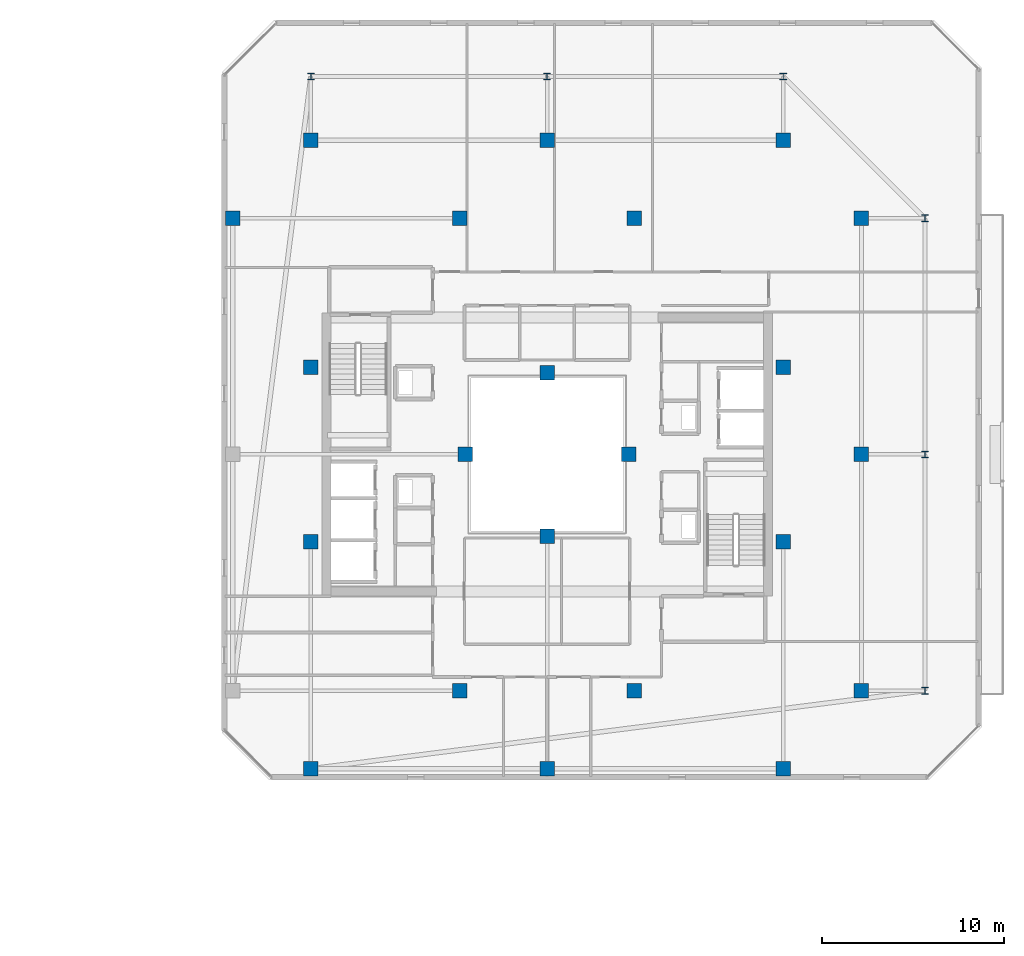
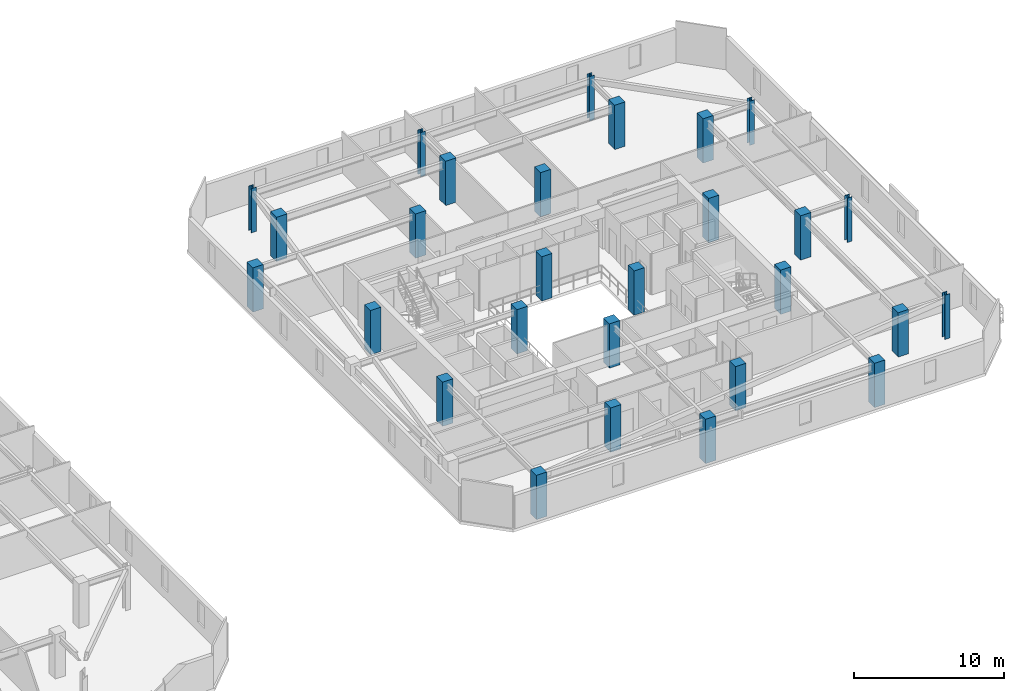
# One storey, part 4 of 35: 28 columns.
"""IFC4 building model written with IfcOpenShell, lengths in metres."""

from ifc_helpers import new_model, si_unit, direction, frame, origin, origin_2d, place, context, subcontext, project, spatial, rectangle, i_section, extrude, material, material_profile, profile_set, type_object, element, save


model = new_model("IFC4")

# Units and contexts
model_context = context("Model", 3, precision=1e-05, world=origin(), true_north=direction((0.0, 1.0)))
body_context = subcontext(model_context, "Body", "Model", "MODEL_VIEW")
ifc_project = project(units=[si_unit("LENGTHUNIT", "METRE"), si_unit("AREAUNIT", "SQUARE_METRE"), si_unit("VOLUMEUNIT", "CUBIC_METRE"), si_unit("PLANEANGLEUNIT", "RADIAN"), si_unit("MASSUNIT", "GRAM", prefix="KILO")], contexts=[model_context])

# Site, building, storey
site_placement = place(None, origin())
site = spatial("IfcSite", under=ifc_project, at=site_placement, CompositionType="ELEMENT")
building_placement = place(site_placement, origin())
building = spatial("IfcBuilding", under=site, at=building_placement, Name="Thornwick Lancets Civic Towers", CompositionType="ELEMENT")
storey_placement = place(building_placement, frame((0.0, 0.0, 272.699951171875)))
storey = spatial("IfcBuildingStorey", under=building, at=storey_placement, Name="L73", CompositionType="ELEMENT", Elevation=272.699951171875)

# Columns
ifc_material_1 = material(Name="Concrete C50/60", Category="concrete")
ifc_material_profile_1 = material_profile(ifc_material_1, rectangle(XDim=0.800048828125, YDim=0.800048828125, at=origin_2d()), Name="RC 800x800")
ifc_profile_set_1 = profile_set([ifc_material_profile_1], Name="Concrete C50/60")
column_type_1 = type_object("IfcColumnType", Name="COL_RC_800", PredefinedType="COLUMN", material=ifc_profile_set_1)
for number, where, z_axis, x_axis, name in (
    (1, (105.800048828125, 14.0, 0.0), (0.0, 0.0, 1.0), (1.0, 0.0, 0.0), "L73 Spine Mega-Column B01"),
    (2, (105.800048828125, 27.0, 0.0), (0.0, 0.0, 1.0), (1.0, 0.0, 0.0), "L73 Spine Mega-Column B02"),
    (3, (105.800048828125, 40.0, 0.0), (0.0, 0.0, 1.0), (1.0, 0.0, 0.0), "L73 Spine Mega-Column B03"),
    (4, (101.5, 44.300048828125, 0.0), (0.0, 0.0, 1.0), (1.0, 0.0, 0.0), "L73 Spine Mega-Column B04"),
    (5, (88.5, 44.300048828125, 0.0), (0.0, 0.0, 1.0), (1.0, 0.0, 0.0), "L73 Spine Mega-Column B05"),
    (6, (75.5, 44.300048828125, 0.0), (0.0, 0.0, 1.0), (1.0, 0.0, 0.0), "L73 Spine Mega-Column B06"),
    (7, (71.199951171875, 40.0, 0.0), (0.0, 0.0, 1.0), (1.0, 0.0, 0.0), "L73 Spine Mega-Column B09"),
    (8, (101.5, 9.699951171875, 0.0), (0.0, 0.0, 1.0), (1.0, 0.0, 0.0), "L73 Spine Mega-Column B10"),
    (9, (88.5, 9.699951171875, 0.0), (0.0, 0.0, 1.0), (1.0, 0.0, 0.0), "L73 Spine Mega-Column B11"),
    (10, (75.5, 9.699951171875, 0.0), (0.0, 0.0, 1.0), (1.0, 0.0, 0.0), "L73 Spine Mega-Column B12"),
    (11, (93.300048828125, 14.0, 0.0), (0.0, 0.0, 1.0), (1.0, 0.0, 0.0), "L73 Spine Mega-Column B13"),
    (12, (93.300048828125, 40.0, 0.0), (0.0, 0.0, 1.0), (1.0, 0.0, 0.0), "L73 Spine Mega-Column B14"),
    (13, (83.699951171875, 14.0, 0.0), (0.0, 0.0, 1.0), (1.0, 0.0, 0.0), "L73 Spine Mega-Column B15"),
    (14, (83.699951171875, 40.0, 0.0), (0.0, 0.0, 1.0), (1.0, 0.0, 0.0), "L73 Spine Mega-Column B16"),
    (15, (101.5, 22.199951171875, 0.0), (0.0, 0.0, 1.0), (1.0, 0.0, 0.0), "L73 Spine Mega-Column B17"),
    (16, (101.5, 31.800048828125, 0.0), (0.0, 0.0, 1.0), (1.0, 0.0, 0.0), "L73 Spine Mega-Column B18"),
    (17, (75.5, 22.199951171875, 0.0), (0.0, 0.0, 1.0), (1.0, 0.0, 0.0), "L73 Spine Mega-Column B19"),
    (18, (75.5, 31.800048828125, 0.0), (0.0, 0.0, 1.0), (1.0, 0.0, 0.0), "L73 Spine Mega-Column B20"),
    (19, (93.0, 27.0, 0.0), (0.0, 0.0, 1.0), (1.0, 0.0, 0.0), "L73 Spine Mega-Column B21"),
    (20, (84.0, 27.0, 0.0), (0.0, 0.0, 1.0), (1.0, 0.0, 0.0), "L73 Spine Mega-Column B22"),
    (21, (88.5, 22.5, 0.0), (0.0, 0.0, 1.0), (1.0, 0.0, 0.0), "L73 Spine Mega-Column B23"),
    (22, (88.5, 31.5, 0.0), (0.0, 0.0, 1.0), (1.0, 0.0, 0.0), "L73 Spine Mega-Column B24"),
):
    element("IfcColumn", number, at=place(storey_placement, frame(where, z_axis=z_axis, x_axis=x_axis)), inside=storey, type_object=column_type_1, Name=name, PredefinedType="COLUMN", context=body_context, shape_type="SweptSolid", body=[
        extrude(rectangle(XDim=0.800048828125, YDim=0.800048828125, at=origin_2d()), origin(), (0.0, 0.0, 1.0), 3.60009765625),
    ])
ifc_material_2 = material(Name="Steel S355JR", Category="steel")
ifc_material_profile_2 = material_profile(ifc_material_2, i_section(OverallWidth=0.374755859375, OverallDepth=0.37451171875, WebThickness=0.0166015625, FlangeThickness=0.027099609375, FilletRadius=0.01513671875, at=origin_2d()), Name="UKC 356x368x202")
ifc_profile_set_2 = profile_set([ifc_material_profile_2], Name="Steel S355JR")
column_type_2 = type_object("IfcColumnType", Name="COL_UKC_202", PredefinedType="COLUMN", material=ifc_profile_set_2)
for number, where, z_axis, x_axis, name in (
    (23, (109.300048828125, 14.0, 0.0), (0.0, 0.0, 1.0), (1.0, 0.0, 0.0), "L73 Block Perimeter Column B01"),
    (24, (109.300048828125, 27.0, 0.0), (0.0, 0.0, 1.0), (1.0, 0.0, 0.0), "L73 Block Perimeter Column B02"),
    (25, (109.300048828125, 40.0, 0.0), (0.0, 0.0, 1.0), (1.0, 0.0, 0.0), "L73 Block Perimeter Column B03"),
    (26, (101.5, 47.800048828125, 0.0), (0.0, 0.0, 1.0), (1.0, 0.0, 0.0), "L73 Block Perimeter Column B04"),
    (27, (88.5, 47.800048828125, 0.0), (0.0, 0.0, 1.0), (1.0, 0.0, 0.0), "L73 Block Perimeter Column B05"),
    (28, (75.5, 47.800048828125, 0.0), (0.0, 0.0, 1.0), (1.0, 0.0, 0.0), "L73 Block Perimeter Column B06"),
):
    element("IfcColumn", number, at=place(storey_placement, frame(where, z_axis=z_axis, x_axis=x_axis)), inside=storey, type_object=column_type_2, Name=name, PredefinedType="COLUMN", context=body_context, shape_type="SweptSolid", body=[
        extrude(i_section(OverallWidth=0.374755859375, OverallDepth=0.37451171875, WebThickness=0.0166015625, FlangeThickness=0.027099609375, FilletRadius=0.01513671875, at=origin_2d()), origin(), (0.0, 0.0, 1.0), 3.60009765625),
    ])

save(model, "model.ifc")
